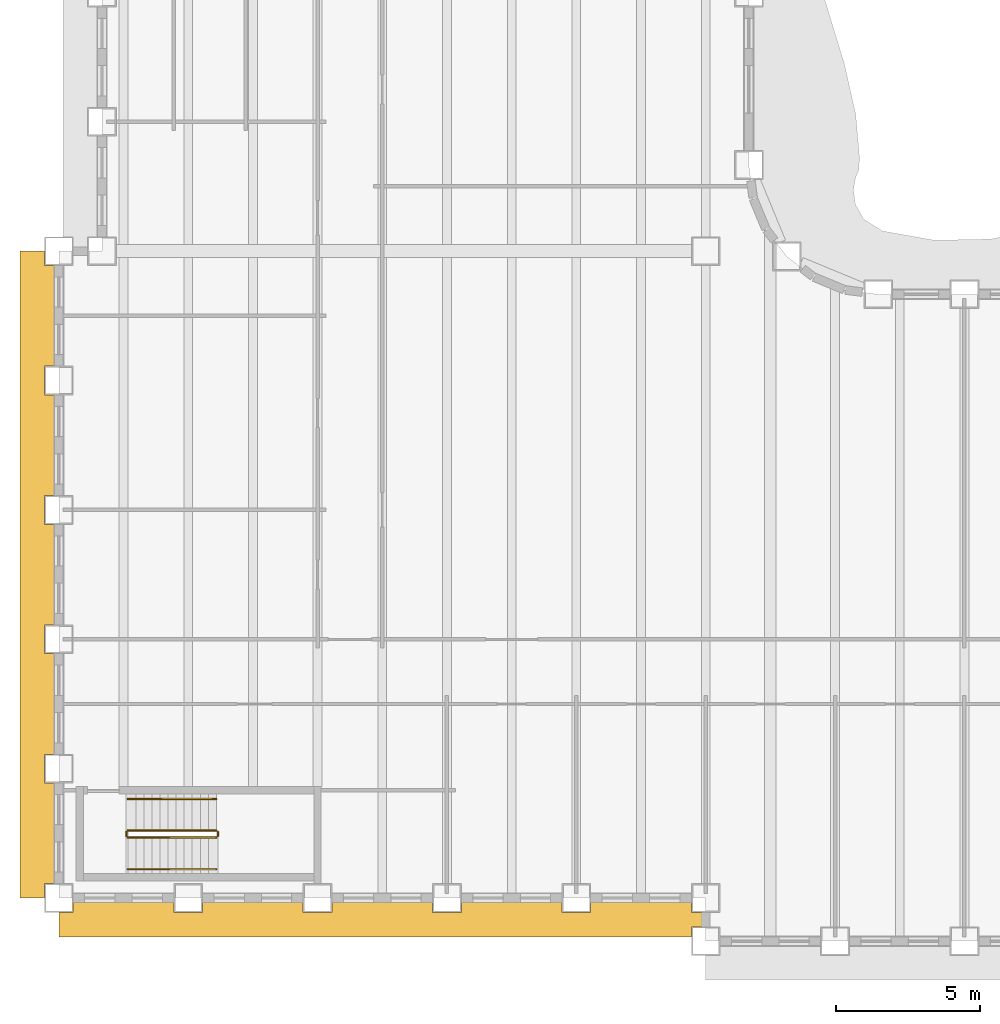
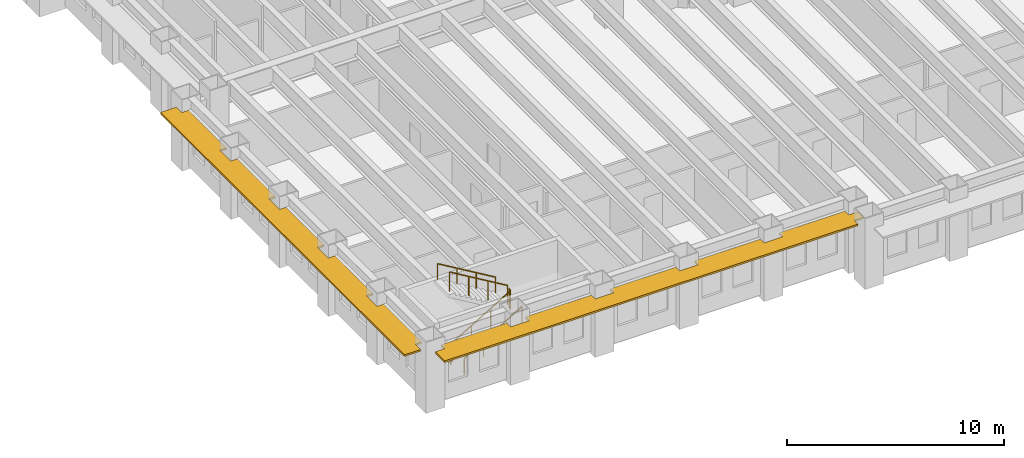
# One storey, part 11 of 16: 6 railings, 2 shading devices.
"""IFC4 building model written with IfcOpenShell, lengths in metres."""

from ifc_helpers import new_model, si_unit, direction, frame, origin, origin_2d, place, context, subcontext, project, spatial, polyline, rectangle, outline, extrude, material, layer, layer_set, type_object, element, save


model = new_model("IFC4")

# Units and contexts
model_context = context("Model", 3, precision=1e-05, world=origin(), true_north=direction((0.0, 1.0)))
body_context = subcontext(model_context, "Body", "Model", "MODEL_VIEW")
ifc_project = project(units=[si_unit("LENGTHUNIT", "METRE"), si_unit("AREAUNIT", "SQUARE_METRE"), si_unit("VOLUMEUNIT", "CUBIC_METRE"), si_unit("PLANEANGLEUNIT", "RADIAN"), si_unit("MASSUNIT", "GRAM", prefix="KILO")], contexts=[model_context])

# Site, building, storey
site_placement = place(None, origin())
site = spatial("IfcSite", under=ifc_project, at=site_placement, CompositionType="ELEMENT")
building_placement = place(site_placement, origin())
building = spatial("IfcBuilding", under=site, at=building_placement, Name="Sennacour Bend Tower", CompositionType="ELEMENT")
storey_placement = place(building_placement, frame((0.0, 0.0, 103.0)))
storey = spatial("IfcBuildingStorey", under=building, at=storey_placement, Name="L23", CompositionType="ELEMENT", Elevation=103.0)

# Railings
ifc_material_1 = material(Name="Stainless steel", Category="steel")
railing_type_1 = type_object("IfcRailingType", Name="RL-GUARD-1100", PredefinedType="GUARDRAIL", material=ifc_material_1)
railing_1_placement = place(storey_placement, frame((2.39990234375, 2.10009765625, 0.166748046875)))
element("IfcRailing", 1, at=railing_1_placement, inside=storey, type_object=railing_type_1, Name="L23 SK1 stair guard 1", PredefinedType="GUARDRAIL", context=body_context, shape_type="SweptSolid", body=[
    extrude(rectangle(XDim=0.048095703125, YDim=0.048095703125, at=origin_2d()), frame((0.0, 0.0, 1.076171875), z_axis=(0.859308565015, 0.0, 0.511457515432), x_axis=(0.0, 1.0, 0.0)), (0.0, 0.0, 1.0), 3.58447265625),
    extrude(rectangle(XDim=0.0419921875, YDim=0.0419921875, at=origin_2d()), origin(), (0.0, 0.0, 1.0), 1.052001953125),
    extrude(rectangle(XDim=0.0419921875, YDim=0.0419921875, at=origin_2d()), frame((1.026611328125, 0.0, 0.611083984375)), (0.0, 0.0, 1.0), 1.052001953125),
    extrude(rectangle(XDim=0.0419921875, YDim=0.0419921875, at=origin_2d()), frame((2.053466796875, 0.0, 1.22216796875)), (0.0, 0.0, 1.0), 1.052001953125),
    extrude(rectangle(XDim=0.0419921875, YDim=0.0419921875, at=origin_2d()), frame((3.080078125, 0.0, 1.833251953125)), (0.0, 0.0, 1.0), 1.052001953125),
])
railing_2_placement = place(storey_placement, frame((5.530029296875, 2.14990234375, 2.0)))
element("IfcRailing", 2, at=railing_2_placement, inside=storey, type_object=railing_type_1, Name="L23 SK1 stair guard 2", PredefinedType="GUARDRAIL", context=body_context, shape_type="SweptSolid", body=[
    extrude(rectangle(XDim=0.048095703125, YDim=0.048095703125, at=origin_2d()), frame((0.0, 0.0, 1.076171875), z_axis=(0.0, 1.0, 0.0), x_axis=(-1.0, 0.0, 0.0)), (0.0, 0.0, 1.0), 0.150146484375),
    extrude(rectangle(XDim=0.0419921875, YDim=0.0419921875, at=origin_2d()), origin(), (0.0, 0.0, 1.0), 1.052001953125),
    extrude(rectangle(XDim=0.0419921875, YDim=0.0419921875, at=origin_2d()), frame((0.0, 0.150146484375, 0.0)), (0.0, 0.0, 1.0), 1.052001953125),
])
railing_3_placement = place(storey_placement, frame((5.47998046875, 2.35009765625, 2.166748046875)))
element("IfcRailing", 3, at=railing_3_placement, inside=storey, type_object=railing_type_1, Name="L23 SK1 stair guard 3", PredefinedType="GUARDRAIL", context=body_context, shape_type="SweptSolid", body=[
    extrude(rectangle(XDim=0.048095703125, YDim=0.048095703125, at=origin_2d()), frame((0.0, 0.0, 1.076171875), z_axis=(-0.859308565015, 0.0, 0.511457515432), x_axis=(0.0, -1.0, 0.0)), (0.0, 0.0, 1.0), 3.58447265625),
    extrude(rectangle(XDim=0.0419921875, YDim=0.0419921875, at=origin_2d()), origin(), (0.0, 0.0, 1.0), 1.052001953125),
    extrude(rectangle(XDim=0.0419921875, YDim=0.0419921875, at=origin_2d()), frame((-1.026611328125, 0.0, 0.611083984375)), (0.0, 0.0, 1.0), 1.052001953125),
    extrude(rectangle(XDim=0.0419921875, YDim=0.0419921875, at=origin_2d()), frame((-2.053466796875, 0.0, 1.22216796875)), (0.0, 0.0, 1.0), 1.052001953125),
    extrude(rectangle(XDim=0.0419921875, YDim=0.0419921875, at=origin_2d()), frame((-3.080078125, 0.0, 1.833251953125)), (0.0, 0.0, 1.0), 1.052001953125),
])
railing_4_placement = place(storey_placement, frame((2.35009765625, 2.14990234375, 0.0)))
element("IfcRailing", 4, at=railing_4_placement, inside=storey, type_object=railing_type_1, Name="L23 SK1 stair guard 4", PredefinedType="GUARDRAIL", context=body_context, shape_type="SweptSolid", body=[
    extrude(rectangle(XDim=0.048095703125, YDim=0.048095703125, at=origin_2d()), frame((0.0, 0.0, 1.076171875), z_axis=(0.0, 1.0, 0.0), x_axis=(-1.0, 0.0, 0.0)), (0.0, 0.0, 1.0), 0.150146484375),
    extrude(rectangle(XDim=0.0419921875, YDim=0.0419921875, at=origin_2d()), origin(), (0.0, 0.0, 1.0), 1.052001953125),
    extrude(rectangle(XDim=0.0419921875, YDim=0.0419921875, at=origin_2d()), frame((0.0, 0.150146484375, 0.0)), (0.0, 0.0, 1.0), 1.052001953125),
])
railing_type_2 = type_object("IfcRailingType", Name="RL-HANDRAIL-900", PredefinedType="HANDRAIL", material=ifc_material_1)
railing_5_placement = place(storey_placement, frame((2.39990234375, 1.0, 0.166748046875)))
element("IfcRailing", 5, at=railing_5_placement, inside=storey, type_object=railing_type_2, Name="L23 SK1 stair handrail 1", PredefinedType="HANDRAIL", context=body_context, shape_type="SweptSolid", body=[
    extrude(rectangle(XDim=0.048095703125, YDim=0.048095703125, at=origin_2d()), frame((0.0, 0.0, 0.8759765625), z_axis=(0.859308565015, 0.0, 0.511457515432), x_axis=(0.0, 1.0, 0.0)), (0.0, 0.0, 1.0), 3.58447265625),
    extrude(rectangle(XDim=0.0419921875, YDim=0.0419921875, at=origin_2d()), origin(), (0.0, 0.0, 1.0), 0.851806640625),
    extrude(rectangle(XDim=0.0419921875, YDim=0.0419921875, at=origin_2d()), frame((1.026611328125, 0.0, 0.611083984375)), (0.0, 0.0, 1.0), 0.851806640625),
    extrude(rectangle(XDim=0.0419921875, YDim=0.0419921875, at=origin_2d()), frame((2.053466796875, 0.0, 1.22216796875)), (0.0, 0.0, 1.0), 0.851806640625),
    extrude(rectangle(XDim=0.0419921875, YDim=0.0419921875, at=origin_2d()), frame((3.080078125, 0.0, 1.833251953125)), (0.0, 0.0, 1.0), 0.851806640625),
])
railing_6_placement = place(storey_placement, frame((5.47998046875, 3.449951171875, 2.166748046875)))
element("IfcRailing", 6, at=railing_6_placement, inside=storey, type_object=railing_type_2, Name="L23 SK1 stair handrail 2", PredefinedType="HANDRAIL", context=body_context, shape_type="SweptSolid", body=[
    extrude(rectangle(XDim=0.048095703125, YDim=0.048095703125, at=origin_2d()), frame((0.0, 0.0, 0.8759765625), z_axis=(-0.859308565015, 0.0, 0.511457515432), x_axis=(0.0, -1.0, 0.0)), (0.0, 0.0, 1.0), 3.58447265625),
    extrude(rectangle(XDim=0.0419921875, YDim=0.0419921875, at=origin_2d()), origin(), (0.0, 0.0, 1.0), 0.851806640625),
    extrude(rectangle(XDim=0.0419921875, YDim=0.0419921875, at=origin_2d()), frame((-1.026611328125, 0.0, 0.611083984375)), (0.0, 0.0, 1.0), 0.851806640625),
    extrude(rectangle(XDim=0.0419921875, YDim=0.0419921875, at=origin_2d()), frame((-2.053466796875, 0.0, 1.22216796875)), (0.0, 0.0, 1.0), 0.851806640625),
    extrude(rectangle(XDim=0.0419921875, YDim=0.0419921875, at=origin_2d()), frame((-3.080078125, 0.0, 1.833251953125)), (0.0, 0.0, 1.0), 0.851806640625),
])

# Shading devices
ifc_material_2 = material(Name="Bronze anodised aluminium", Category="aluminium")
ifc_layer = layer(ifc_material_2, 0.10009765625, Name="Bronze anodised aluminium", Category="aluminium")
ifc_layer_set = layer_set([ifc_layer], Name="Bronze anodised aluminium")
shading_device_type = type_object("IfcShadingDeviceType", Name="SUNSHADE BAND STRAIGHT", PredefinedType="USERDEFINED", material=ifc_layer_set)
shading_device_1_placement = place(storey_placement, frame((0.0, 0.0, 3.053955078125)))
element("IfcShadingDevice", 7, at=shading_device_1_placement, inside=storey, type_object=shading_device_type, Name="Sunshade band L23 K outer face", ObjectType="SUNSHADE", PredefinedType="USERDEFINED", context=body_context, shape_type="SweptSolid", body=[
    extrude(outline(polyline([(-0.14990234375, 18.5), (-0.5, 18.5), (-0.5, 17.5), (-0.14990234375, 17.5), (-0.14990234375, 14.0), (-0.5, 14.0), (-0.5, 13.0), (-0.14990234375, 13.0), (-0.14990234375, 9.5), (-0.5, 9.5), (-0.5, 8.5), (-0.14990234375, 8.5), (-0.14990234375, 5.0), (-0.5, 5.0), (-0.5, 4.0), (-0.14990234375, 4.0), (-0.14990234375, 0.5), (-0.5, 0.5), (-0.5, 0.0), (-1.35009765625, 0.0), (-1.35009765625, 22.5), (-0.5, 22.5), (-0.5, 22.0), (-0.14990234375, 22.0), (-0.14990234375, 18.5)])), origin(), (0.0, 0.0, 1.0), 0.10009765625),
])
shading_device_2_placement = place(storey_placement, frame((0.0, 0.0, 3.053955078125)))
element("IfcShadingDevice", 8, at=shading_device_2_placement, inside=storey, type_object=shading_device_type, Name="Sunshade band L23 K outer face", ObjectType="SUNSHADE", PredefinedType="USERDEFINED", context=body_context, shape_type="SweptSolid", body=[
    extrude(outline(polyline([(4.0, -0.14990234375), (4.0, -0.5), (5.0, -0.5), (5.0, -0.14990234375), (8.5, -0.14990234375), (8.5, -0.5), (9.5, -0.5), (9.5, -0.14990234375), (13.0, -0.14990234375), (13.0, -0.5), (14.0, -0.5), (14.0, -0.14990234375), (17.5, -0.14990234375), (17.5, -0.5), (18.5, -0.5), (18.5, -0.14990234375), (22.0, -0.14990234375), (22.0, -0.5), (22.5, -0.5), (22.5, -1.0), (22.0, -1.0), (22.0, -1.35009765625), (0.0, -1.35009765625), (0.0, -0.5), (0.5, -0.5), (0.5, -0.14990234375), (4.0, -0.14990234375)])), origin(), (0.0, 0.0, 1.0), 0.10009765625),
])

save(model, "model.ifc")
